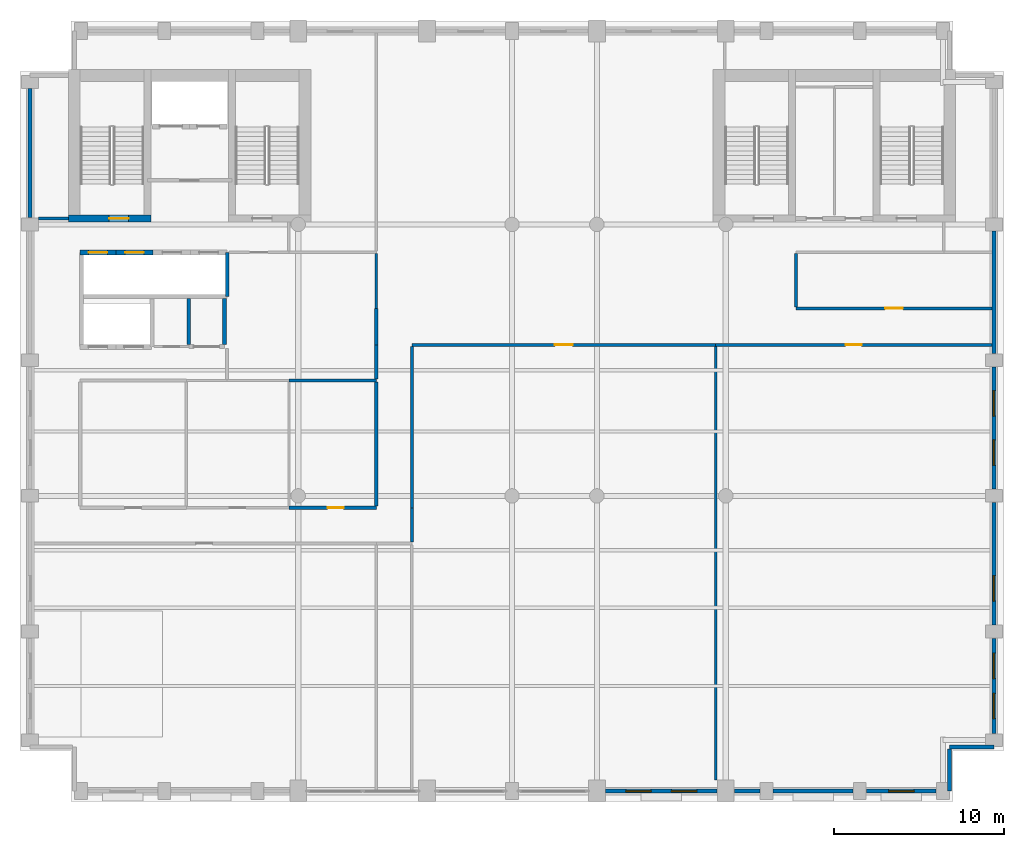
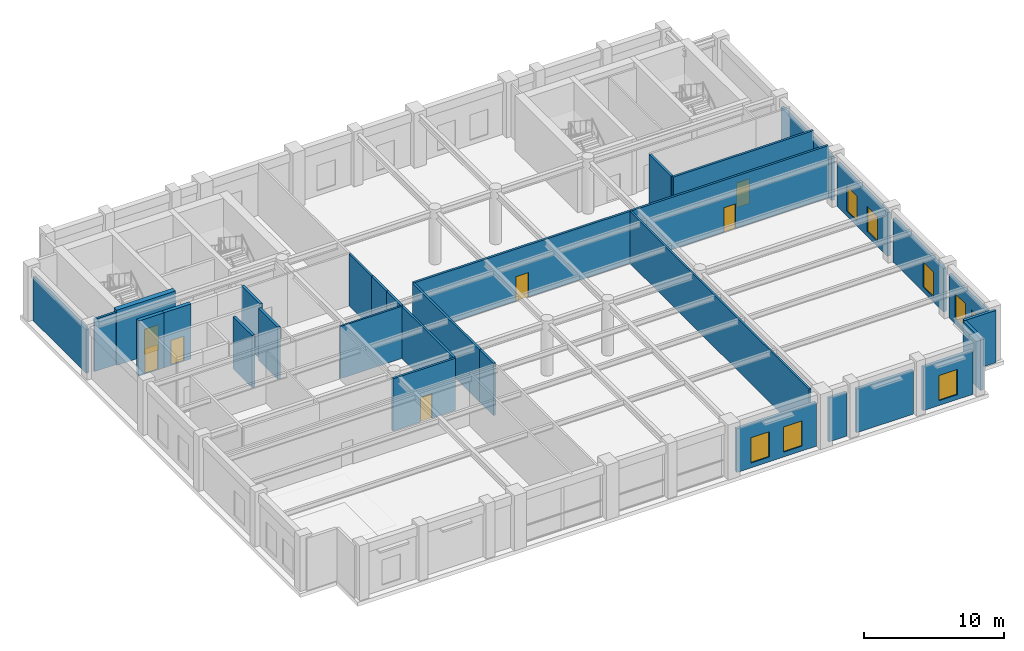
# One storey, part 5 of 10: 31 walls, 8 windows, 7 doors, 15 openings.
"""IFC4 building model written with IfcOpenShell, lengths in metres."""

from ifc_helpers import new_model, si_unit, direction, frame, frame_2d, origin, place, context, subcontext, project, spatial, rectangle, extrude, material, layer, layer_set, type_object, element, fill, save


model = new_model("IFC4")

# Units and contexts
model_context = context("Model", 3, precision=1e-05, world=origin(), true_north=direction((0.0, 1.0)))
body_context = subcontext(model_context, "Body", "Model", "MODEL_VIEW")
ifc_project = project(units=[si_unit("LENGTHUNIT", "METRE"), si_unit("AREAUNIT", "SQUARE_METRE"), si_unit("VOLUMEUNIT", "CUBIC_METRE"), si_unit("PLANEANGLEUNIT", "RADIAN"), si_unit("MASSUNIT", "GRAM", prefix="KILO")], contexts=[model_context])

# Site, building, storey
site_placement = place(None, origin())
site = spatial("IfcSite", under=ifc_project, at=site_placement, CompositionType="ELEMENT")
building_placement = place(site_placement, origin())
building = spatial("IfcBuilding", under=site, at=building_placement, Name="Sulina Concourse Tower", CompositionType="ELEMENT")
storey_placement = place(building_placement, frame((0.0, 0.0, 243.800048828125)))
storey = spatial("IfcBuildingStorey", under=building, at=storey_placement, Name="L59", CompositionType="ELEMENT", Elevation=243.800048828125)

# Wall
ifc_material_1 = material(Name="Concrete C50/60", Category="concrete")
ifc_layer_1 = layer(ifc_material_1, 0.219970703125)
ifc_layer_set_1 = layer_set([ifc_layer_1], Name="Concrete C50/60")
wall_type_1 = type_object("IfcWallType", Name="Core Lift Hoistway Divider Wall 220mm", PredefinedType="SOLIDWALL", material=ifc_layer_set_1)
wall_1_placement = place(storey_placement, frame((12.219970703125, 29.75, 0.0), z_axis=(0.0, 0.0, 1.0), x_axis=(0.0, 1.0, 0.0)))
element("IfcWall", 1, at=wall_1_placement, inside=storey, type_object=wall_type_1, Name="L59 shaft divider wall HW-LP3-E", PredefinedType="SOLIDWALL", context=body_context, shape_type="SweptSolid", body=[
    extrude(rectangle(XDim=2.60009765625, YDim=0.219970703125, at=frame_2d((1.300048828125, 0.0))), origin(), (0.0, 0.0, 1.0), 4.800048828125),
])

# Wall, opening, door
ifc_material_2 = material(Name="Concrete C50/60", Category="concrete")
ifc_layer_2 = layer(ifc_material_2, 0.300048828125)
ifc_layer_set_2 = layer_set([ifc_layer_2], Name="Concrete C50/60")
wall_type_2 = type_object("IfcWallType", Name="Core Lift Hoistway Wall 300mm", PredefinedType="SOLIDWALL", material=ifc_layer_set_2)
wall_2_placement = place(storey_placement, frame((3.550048828125, 32.35009765625, 0.0), z_axis=(0.0, 0.0, 1.0), x_axis=(1.0, 0.0, 0.0)))
wall_2 = element("IfcWall", 2, at=wall_2_placement, inside=storey, type_object=wall_type_2, Name="L59 hoistway enclosure wall LP-09", PredefinedType="SOLIDWALL", context=body_context, shape_type="SweptSolid", body=[
    extrude(rectangle(XDim=2.099853515625, YDim=0.300048828125, at=frame_2d((1.0498046875, 0.0))), origin(), (0.0, 0.0, 1.0), 4.800048828125),
])
opening_1_placement = place(wall_2_placement, frame((0.5, 0.0, 0.0)))
opening_1 = element("IfcOpeningElement", 3, at=opening_1_placement, cuts=wall_2, Name="Opening LD-01", PredefinedType="OPENING", context=body_context, shape_type="SweptSolid", body=[
    extrude(rectangle(XDim=1.10009765625, YDim=2.199951171875, at=frame_2d((0.550048828125, 1.10009765625))), frame((0.0, 0.159912109375, 0.0), z_axis=(0.0, -1.0, 0.0), x_axis=(1.0, 0.0, 0.0)), (0.0, 0.0, 1.0), 0.320068359375),
])
ifc_material_3 = material(Name="Stainless steel lift landing door", Category="steel")
ifc_layer_3 = layer(ifc_material_3, 0.050048828125)
ifc_layer_set_3 = layer_set([ifc_layer_3], Name="Stainless steel lift landing door")
door_type_1 = type_object("IfcDoorType", Name="Passenger Lift Sliding Landing Door 1100x2200", OperationType="SLIDING_TO_LEFT", PredefinedType="DOOR", material=ifc_layer_set_3)
door_1_placement = place(opening_1_placement, origin())
door_1 = element("IfcDoor", 4, at=door_1_placement, inside=storey, type_object=door_type_1, Name="L59 lift landing sliding door LP-09", OperationType="SLIDING_TO_LEFT", OverallHeight=2.199951171875, OverallWidth=1.10009765625, PredefinedType="DOOR", context=body_context, shape_type="SweptSolid", body=[
    extrude(rectangle(XDim=1.10009765625, YDim=2.199951171875, at=frame_2d((0.550048828125, 1.10009765625))), frame((0.0, 0.02490234375, 0.0), z_axis=(0.0, -1.0, 0.0), x_axis=(1.0, 0.0, 0.0)), (0.0, 0.0, 1.0), 0.050048828125),
])
fill(opening_1, door_1)

wall_3_placement = place(storey_placement, frame((5.64990234375, 32.35009765625, 0.0), z_axis=(0.0, 0.0, 1.0), x_axis=(1.0, 0.0, 0.0)))
wall_3 = element("IfcWall", 5, at=wall_3_placement, inside=storey, type_object=wall_type_2, Name="L59 hoistway enclosure wall LP-10", PredefinedType="SOLIDWALL", context=body_context, shape_type="SweptSolid", body=[
    extrude(rectangle(XDim=2.2001953125, YDim=0.300048828125, at=frame_2d((1.10009765625, 0.0))), origin(), (0.0, 0.0, 1.0), 4.800048828125),
])
opening_2_placement = place(wall_3_placement, frame((0.550048828125, 0.0, 0.0)))
opening_2 = element("IfcOpeningElement", 6, at=opening_2_placement, cuts=wall_3, Name="Opening LD-01", PredefinedType="OPENING", context=body_context, shape_type="SweptSolid", body=[
    extrude(rectangle(XDim=1.10009765625, YDim=2.199951171875, at=frame_2d((0.550048828125, 1.10009765625))), frame((0.0, 0.159912109375, 0.0), z_axis=(0.0, -1.0, 0.0), x_axis=(1.0, 0.0, 0.0)), (0.0, 0.0, 1.0), 0.320068359375),
])
door_2_placement = place(opening_2_placement, origin())
door_2 = element("IfcDoor", 7, at=door_2_placement, inside=storey, type_object=door_type_1, Name="L59 lift landing sliding door LP-10", OperationType="SLIDING_TO_RIGHT", OverallHeight=2.199951171875, OverallWidth=1.10009765625, PredefinedType="DOOR", context=body_context, shape_type="SweptSolid", body=[
    extrude(rectangle(XDim=1.10009765625, YDim=2.199951171875, at=frame_2d((0.550048828125, 1.10009765625))), frame((0.0, 0.02490234375, 0.0), z_axis=(0.0, -1.0, 0.0), x_axis=(1.0, 0.0, 0.0)), (0.0, 0.0, 1.0), 0.050048828125),
])
fill(opening_2, door_2)

# Wall, openings, windows
ifc_material_4 = material(Name="Precast concrete C50/60", Category="concrete")
ifc_layer_4 = layer(ifc_material_4, 0.239990234375)
ifc_layer_set_4 = layer_set([ifc_layer_4], Name="Precast concrete C50/60")
wall_type_3 = type_object("IfcWallType", Name="Crown Precast Masonry-Frame Facade Wall 240mm", PredefinedType="SOLIDWALL", material=ifc_layer_set_4)
wall_4_placement = place(storey_placement, frame((41.080078125, 0.60009765625, 0.0), z_axis=(0.0, 0.0, 1.0), x_axis=(-1.0, 0.0, 0.0)))
wall_4 = element("IfcWall", 8, at=wall_4_placement, inside=storey, type_object=wall_type_3, Name="L59 exterior precast wall S7", PredefinedType="SOLIDWALL", context=body_context, shape_type="SweptSolid", body=[
    extrude(rectangle(XDim=6.56005859375, YDim=0.239990234375, at=frame_2d((3.280029296875, 0.0))), origin(), (0.0, 0.0, 1.0), 3.800048828125),
])
opening_3_placement = place(wall_4_placement, frame((1.186767578125, 0.0, 0.419921875)))
opening_3 = element("IfcOpeningElement", 9, at=opening_3_placement, cuts=wall_4, Name="Opening WN-71", PredefinedType="OPENING", context=body_context, shape_type="SweptSolid", body=[
    extrude(rectangle(XDim=1.5, YDim=2.199951171875, at=frame_2d((0.75, 1.10009765625))), frame((0.0, 0.1298828125, 0.0), z_axis=(0.0, -1.0, 0.0), x_axis=(1.0, 0.0, 0.0)), (0.0, 0.0, 1.0), 0.260009765625),
])
opening_4_placement = place(wall_4_placement, frame((3.873291015625, 0.0, 0.419921875)))
opening_4 = element("IfcOpeningElement", 10, at=opening_4_placement, cuts=wall_4, Name="Opening WN-71", PredefinedType="OPENING", context=body_context, shape_type="SweptSolid", body=[
    extrude(rectangle(XDim=1.5, YDim=2.199951171875, at=frame_2d((0.75, 1.10009765625))), frame((0.0, 0.1298828125, 0.0), z_axis=(0.0, -1.0, 0.0), x_axis=(1.0, 0.0, 0.0)), (0.0, 0.0, 1.0), 0.260009765625),
])
ifc_material_5 = material(Name="Low-E solar double glazing in bronze aluminium", Category="aluminium")
window_type = type_object("IfcWindowType", Name="Punched Masonry-Frame Window 1500x2200", PartitioningType="SINGLE_PANEL", PredefinedType="WINDOW", material=ifc_material_5)
window_1_placement = place(opening_3_placement, origin())
window_1 = element("IfcWindow", 11, at=window_1_placement, inside=storey, type_object=window_type, Name="L59 punched window S7-1", OverallHeight=2.199951171875, OverallWidth=1.5, PartitioningType="SINGLE_PANEL", PredefinedType="WINDOW", context=body_context, shape_type="SweptSolid", body=[
    extrude(rectangle(XDim=1.5, YDim=2.199951171875, at=frame_2d((0.75, 1.10009765625))), frame((0.0, 0.030029296875, 0.0), z_axis=(0.0, -1.0, 0.0), x_axis=(1.0, 0.0, 0.0)), (0.0, 0.0, 1.0), 0.06005859375),
])
fill(opening_3, window_1)
window_2_placement = place(opening_4_placement, origin())
window_2 = element("IfcWindow", 12, at=window_2_placement, inside=storey, type_object=window_type, Name="L59 punched window S7-2", OverallHeight=2.199951171875, OverallWidth=1.5, PartitioningType="SINGLE_PANEL", PredefinedType="WINDOW", context=body_context, shape_type="SweptSolid", body=[
    extrude(rectangle(XDim=1.5, YDim=2.199951171875, at=frame_2d((0.75, 1.10009765625))), frame((0.0, 0.030029296875, 0.0), z_axis=(0.0, -1.0, 0.0), x_axis=(1.0, 0.0, 0.0)), (0.0, 0.0, 1.0), 0.06005859375),
])
fill(opening_4, window_2)

# Walls
wall_5_placement = place(storey_placement, frame((43.60498046875, 0.60009765625, 0.0), z_axis=(0.0, 0.0, 1.0), x_axis=(-1.0, 0.0, 0.0)))
element("IfcWall", 13, at=wall_5_placement, inside=storey, type_object=wall_type_3, Name="L59 exterior precast wall S8", PredefinedType="SOLIDWALL", context=body_context, shape_type="SweptSolid", body=[
    extrude(rectangle(XDim=1.48486328125, YDim=0.239990234375, at=frame_2d((0.742431640625, 0.0))), origin(), (0.0, 0.0, 1.0), 3.800048828125),
])
wall_6_placement = place(storey_placement, frame((49.10498046875, 0.60009765625, 0.0), z_axis=(0.0, 0.0, 1.0), x_axis=(-1.0, 0.0, 0.0)))
element("IfcWall", 14, at=wall_6_placement, inside=storey, type_object=wall_type_3, Name="L59 exterior precast wall S9", PredefinedType="SOLIDWALL", context=body_context, shape_type="SweptSolid", body=[
    extrude(rectangle(XDim=4.7099609375, YDim=0.239990234375, at=frame_2d((2.35498046875, 0.0))), origin(), (0.0, 0.0, 1.0), 3.800048828125),
])

# Wall, opening, window
wall_7_placement = place(storey_placement, frame((54.0048828125, 0.60009765625, 0.0), z_axis=(0.0, 0.0, 1.0), x_axis=(-1.0, 0.0, 0.0)))
wall_7 = element("IfcWall", 15, at=wall_7_placement, inside=storey, type_object=wall_type_3, Name="L59 exterior precast wall S10", PredefinedType="SOLIDWALL", context=body_context, shape_type="SweptSolid", body=[
    extrude(rectangle(XDim=4.10986328125, YDim=0.239990234375, at=frame_2d((2.054931640625, 0.0))), origin(), (0.0, 0.0, 1.0), 3.800048828125),
])
opening_5_placement = place(wall_7_placement, frame((1.304931640625, 0.0, 0.419921875)))
opening_5 = element("IfcOpeningElement", 16, at=opening_5_placement, cuts=wall_7, Name="Opening WN-71", PredefinedType="OPENING", context=body_context, shape_type="SweptSolid", body=[
    extrude(rectangle(XDim=1.5, YDim=2.199951171875, at=frame_2d((0.75, 1.10009765625))), frame((0.0, 0.1298828125, 0.0), z_axis=(0.0, -1.0, 0.0), x_axis=(1.0, 0.0, 0.0)), (0.0, 0.0, 1.0), 0.260009765625),
])
window_3_placement = place(opening_5_placement, origin())
window_3 = element("IfcWindow", 17, at=window_3_placement, inside=storey, type_object=window_type, Name="L59 punched window S10-1", OverallHeight=2.199951171875, OverallWidth=1.5, PartitioningType="SINGLE_PANEL", PredefinedType="WINDOW", context=body_context, shape_type="SweptSolid", body=[
    extrude(rectangle(XDim=1.5, YDim=2.199951171875, at=frame_2d((0.75, 1.10009765625))), frame((0.0, 0.030029296875, 0.0), z_axis=(0.0, -1.0, 0.0), x_axis=(1.0, 0.0, 0.0)), (0.0, 0.0, 1.0), 0.06005859375),
])
fill(opening_5, window_3)

# Wall
wall_8_placement = place(storey_placement, frame((0.60009765625, 34.39501953125, 0.0), z_axis=(0.0, 0.0, 1.0), x_axis=(0.0, 1.0, 0.0)))
element("IfcWall", 18, at=wall_8_placement, inside=storey, type_object=wall_type_3, Name="L59 exterior precast wall W5", PredefinedType="SOLIDWALL", context=body_context, shape_type="SweptSolid", body=[
    extrude(rectangle(XDim=7.60986328125, YDim=0.239990234375, at=frame_2d((3.804931640625, 0.0))), origin(), (0.0, 0.0, 1.0), 3.800048828125),
])

# Wall, openings, windows
wall_9_placement = place(storey_placement, frame((57.39990234375, 9.60498046875, 0.0), z_axis=(0.0, 0.0, 1.0), x_axis=(0.0, -1.0, 0.0)))
wall_9 = element("IfcWall", 19, at=wall_9_placement, inside=storey, type_object=wall_type_3, Name="L59 exterior precast wall E1", PredefinedType="SOLIDWALL", context=body_context, shape_type="SweptSolid", body=[
    extrude(rectangle(XDim=5.60986328125, YDim=0.239990234375, at=frame_2d((2.804931640625, 0.0))), origin(), (0.0, 0.0, 1.0), 3.800048828125),
])
opening_6_placement = place(wall_9_placement, frame((0.8701171875, 0.0, 0.419921875)))
opening_6 = element("IfcOpeningElement", 20, at=opening_6_placement, cuts=wall_9, Name="Opening WN-71", PredefinedType="OPENING", context=body_context, shape_type="SweptSolid", body=[
    extrude(rectangle(XDim=1.5, YDim=2.199951171875, at=frame_2d((0.75, 1.10009765625))), frame((0.0, 0.1298828125, 0.0), z_axis=(0.0, -1.0, 0.0), x_axis=(1.0, 0.0, 0.0)), (0.0, 0.0, 1.0), 0.260009765625),
])
opening_7_placement = place(wall_9_placement, frame((3.239990234375, 0.0, 0.419921875)))
opening_7 = element("IfcOpeningElement", 21, at=opening_7_placement, cuts=wall_9, Name="Opening WN-71", PredefinedType="OPENING", context=body_context, shape_type="SweptSolid", body=[
    extrude(rectangle(XDim=1.5, YDim=2.199951171875, at=frame_2d((0.75, 1.10009765625))), frame((0.0, 0.1298828125, 0.0), z_axis=(0.0, -1.0, 0.0), x_axis=(1.0, 0.0, 0.0)), (0.0, 0.0, 1.0), 0.260009765625),
])
window_4_placement = place(opening_6_placement, origin())
window_4 = element("IfcWindow", 22, at=window_4_placement, inside=storey, type_object=window_type, Name="L59 punched window E1-1", OverallHeight=2.199951171875, OverallWidth=1.5, PartitioningType="SINGLE_PANEL", PredefinedType="WINDOW", context=body_context, shape_type="SweptSolid", body=[
    extrude(rectangle(XDim=1.5, YDim=2.199951171875, at=frame_2d((0.75, 1.10009765625))), frame((0.0, 0.030029296875, 0.0), z_axis=(0.0, -1.0, 0.0), x_axis=(1.0, 0.0, 0.0)), (0.0, 0.0, 1.0), 0.06005859375),
])
fill(opening_6, window_4)
window_5_placement = place(opening_7_placement, origin())
window_5 = element("IfcWindow", 23, at=window_5_placement, inside=storey, type_object=window_type, Name="L59 punched window E1-2", OverallHeight=2.199951171875, OverallWidth=1.5, PartitioningType="SINGLE_PANEL", PredefinedType="WINDOW", context=body_context, shape_type="SweptSolid", body=[
    extrude(rectangle(XDim=1.5, YDim=2.199951171875, at=frame_2d((0.75, 1.10009765625))), frame((0.0, 0.030029296875, 0.0), z_axis=(0.0, -1.0, 0.0), x_axis=(1.0, 0.0, 0.0)), (0.0, 0.0, 1.0), 0.06005859375),
])
fill(opening_7, window_5)

# Wall, opening, window
wall_10_placement = place(storey_placement, frame((57.39990234375, 17.60498046875, 0.0), z_axis=(0.0, 0.0, 1.0), x_axis=(0.0, -1.0, 0.0)))
wall_10 = element("IfcWall", 24, at=wall_10_placement, inside=storey, type_object=wall_type_3, Name="L59 exterior precast wall E2", PredefinedType="SOLIDWALL", context=body_context, shape_type="SweptSolid", body=[
    extrude(rectangle(XDim=7.2099609375, YDim=0.239990234375, at=frame_2d((3.60498046875, 0.0))), origin(), (0.0, 0.0, 1.0), 3.800048828125),
])
opening_8_placement = place(wall_10_placement, frame((4.306640625, 0.0, 0.419921875)))
opening_8 = element("IfcOpeningElement", 25, at=opening_8_placement, cuts=wall_10, Name="Opening WN-71", PredefinedType="OPENING", context=body_context, shape_type="SweptSolid", body=[
    extrude(rectangle(XDim=1.5, YDim=2.199951171875, at=frame_2d((0.75, 1.10009765625))), frame((0.0, 0.1298828125, 0.0), z_axis=(0.0, -1.0, 0.0), x_axis=(1.0, 0.0, 0.0)), (0.0, 0.0, 1.0), 0.260009765625),
])
window_6_placement = place(opening_8_placement, origin())
window_6 = element("IfcWindow", 26, at=window_6_placement, inside=storey, type_object=window_type, Name="L59 punched window E2-1", OverallHeight=2.199951171875, OverallWidth=1.5, PartitioningType="SINGLE_PANEL", PredefinedType="WINDOW", context=body_context, shape_type="SweptSolid", body=[
    extrude(rectangle(XDim=1.5, YDim=2.199951171875, at=frame_2d((0.75, 1.10009765625))), frame((0.0, 0.030029296875, 0.0), z_axis=(0.0, -1.0, 0.0), x_axis=(1.0, 0.0, 0.0)), (0.0, 0.0, 1.0), 0.06005859375),
])
fill(opening_8, window_6)

# Wall, openings, windows
wall_11_placement = place(storey_placement, frame((57.39990234375, 25.60498046875, 0.0), z_axis=(0.0, 0.0, 1.0), x_axis=(0.0, -1.0, 0.0)))
wall_11 = element("IfcWall", 27, at=wall_11_placement, inside=storey, type_object=wall_type_3, Name="L59 exterior precast wall E3", PredefinedType="SOLIDWALL", context=body_context, shape_type="SweptSolid", body=[
    extrude(rectangle(XDim=7.2099609375, YDim=0.239990234375, at=frame_2d((3.60498046875, 0.0))), origin(), (0.0, 0.0, 1.0), 3.800048828125),
])
opening_9_placement = place(wall_11_placement, frame((1.4033203125, 0.0, 0.419921875)))
opening_9 = element("IfcOpeningElement", 28, at=opening_9_placement, cuts=wall_11, Name="Opening WN-71", PredefinedType="OPENING", context=body_context, shape_type="SweptSolid", body=[
    extrude(rectangle(XDim=1.5, YDim=2.199951171875, at=frame_2d((0.75, 1.10009765625))), frame((0.0, 0.1298828125, 0.0), z_axis=(0.0, -1.0, 0.0), x_axis=(1.0, 0.0, 0.0)), (0.0, 0.0, 1.0), 0.260009765625),
])
opening_10_placement = place(wall_11_placement, frame((4.306640625, 0.0, 0.419921875)))
opening_10 = element("IfcOpeningElement", 29, at=opening_10_placement, cuts=wall_11, Name="Opening WN-71", PredefinedType="OPENING", context=body_context, shape_type="SweptSolid", body=[
    extrude(rectangle(XDim=1.5, YDim=2.199951171875, at=frame_2d((0.75, 1.10009765625))), frame((0.0, 0.1298828125, 0.0), z_axis=(0.0, -1.0, 0.0), x_axis=(1.0, 0.0, 0.0)), (0.0, 0.0, 1.0), 0.260009765625),
])
window_7_placement = place(opening_9_placement, origin())
window_7 = element("IfcWindow", 30, at=window_7_placement, inside=storey, type_object=window_type, Name="L59 punched window E3-1", OverallHeight=2.199951171875, OverallWidth=1.5, PartitioningType="SINGLE_PANEL", PredefinedType="WINDOW", context=body_context, shape_type="SweptSolid", body=[
    extrude(rectangle(XDim=1.5, YDim=2.199951171875, at=frame_2d((0.75, 1.10009765625))), frame((0.0, 0.030029296875, 0.0), z_axis=(0.0, -1.0, 0.0), x_axis=(1.0, 0.0, 0.0)), (0.0, 0.0, 1.0), 0.06005859375),
])
fill(opening_9, window_7)
window_8_placement = place(opening_10_placement, origin())
window_8 = element("IfcWindow", 31, at=window_8_placement, inside=storey, type_object=window_type, Name="L59 punched window E3-2", OverallHeight=2.199951171875, OverallWidth=1.5, PartitioningType="SINGLE_PANEL", PredefinedType="WINDOW", context=body_context, shape_type="SweptSolid", body=[
    extrude(rectangle(XDim=1.5, YDim=2.199951171875, at=frame_2d((0.75, 1.10009765625))), frame((0.0, 0.030029296875, 0.0), z_axis=(0.0, -1.0, 0.0), x_axis=(1.0, 0.0, 0.0)), (0.0, 0.0, 1.0), 0.06005859375),
])
fill(opening_10, window_8)

# Walls
wall_12_placement = place(storey_placement, frame((57.39990234375, 33.60498046875, 0.0), z_axis=(0.0, 0.0, 1.0), x_axis=(0.0, -1.0, 0.0)))
element("IfcWall", 32, at=wall_12_placement, inside=storey, type_object=wall_type_3, Name="L59 exterior precast wall E4", PredefinedType="SOLIDWALL", context=body_context, shape_type="SweptSolid", body=[
    extrude(rectangle(XDim=7.2099609375, YDim=0.239990234375, at=frame_2d((3.60498046875, 0.0))), origin(), (0.0, 0.0, 1.0), 3.800048828125),
])
wall_13_placement = place(storey_placement, frame((57.39990234375, 3.205078125, 0.0), z_axis=(0.0, 0.0, 1.0), x_axis=(-1.0, 0.0, 0.0)))
element("IfcWall", 33, at=wall_13_placement, inside=storey, type_object=wall_type_3, Name="L59 exterior precast wall CSE1", PredefinedType="SOLIDWALL", context=body_context, shape_type="SweptSolid", body=[
    extrude(rectangle(XDim=2.60498046875, YDim=0.239990234375, at=frame_2d((1.302490234375, 0.0))), origin(), (0.0, 0.0, 1.0), 4.550048828125),
])
wall_14_placement = place(storey_placement, frame((54.794921875, 3.080078125, 0.0), z_axis=(0.0, 0.0, 1.0), x_axis=(0.0, -1.0, 0.0)))
element("IfcWall", 34, at=wall_14_placement, inside=storey, type_object=wall_type_3, Name="L59 exterior precast wall CSE2", PredefinedType="SOLIDWALL", context=body_context, shape_type="SweptSolid", body=[
    extrude(rectangle(XDim=2.47998046875, YDim=0.239990234375, at=frame_2d((1.239990234375, 0.0))), origin(), (0.0, 0.0, 1.0), 4.550048828125),
])
ifc_material_6 = material(Name="Gypsum board on steel stud", Category="steel")
ifc_layer_5 = layer(ifc_material_6, 0.219970703125)
ifc_layer_set_5 = layer_set([ifc_layer_5], Name="Gypsum board on steel stud")
wall_type_4 = type_object("IfcWallType", Name="Fire-Rated Lobby & Compartment Wall 220mm", PredefinedType="PARTITIONING", material=ifc_layer_set_5)
for number, where, z_axis, x_axis, name in (
    (35, (9.949951171875, 26.909912109375, 0.0), (0.0, 0.0, 1.0), (0.0, 1.0, 0.0), "L59 interior partition 024"),
    (36, (12.050048828125, 26.909912109375, 0.0), (0.0, 0.0, 1.0), (0.0, 1.0, 0.0), "L59 interior partition 025"),
):
    element("IfcWall", number, at=place(storey_placement, frame(where, z_axis=z_axis, x_axis=x_axis)), inside=storey, type_object=wall_type_4, Name=name, PredefinedType="PARTITIONING", context=body_context, shape_type="SweptSolid", body=[
        extrude(rectangle(XDim=2.72998046875, YDim=0.219970703125, at=frame_2d((1.364990234375, 0.0))), origin(), (0.0, 0.0, 1.0), 4.550048828125),
    ])
ifc_material_7 = material(Name="Gypsum board on steel stud", Category="steel")
ifc_layer_6 = layer(ifc_material_7, 0.14990234375)
ifc_layer_set_6 = layer_set([ifc_layer_6], Name="Gypsum board on steel stud")
wall_type_5 = type_object("IfcWallType", Name="Inter-Tenancy Acoustic Partition 150mm", PredefinedType="PARTITIONING", material=ifc_layer_set_6)
wall_15_placement = place(storey_placement, frame((15.85009765625, 24.800048828125, 0.0), z_axis=(0.0, 0.0, 1.0), x_axis=(1.0, 0.0, 0.0)))
element("IfcWall", 37, at=wall_15_placement, inside=storey, type_object=wall_type_5, Name="L59 interior partition 009", PredefinedType="PARTITIONING", context=body_context, shape_type="SweptSolid", body=[
    extrude(rectangle(XDim=5.14990234375, YDim=0.14990234375, at=frame_2d((2.574951171875, 0.0))), origin(), (0.0, 0.0, 1.0), 4.550048828125),
])
wall_16_placement = place(storey_placement, frame((21.0, 29.050048828125, 0.0), z_axis=(0.0, 0.0, 1.0), x_axis=(0.0, 1.0, 0.0)))
element("IfcWall", 38, at=wall_16_placement, inside=storey, type_object=wall_type_5, Name="L59 interior partition 033", PredefinedType="PARTITIONING", context=body_context, shape_type="SweptSolid", body=[
    extrude(rectangle(XDim=3.224853515625, YDim=0.14990234375, at=frame_2d((1.6123046875, 0.0))), origin(), (0.0, 0.0, 1.0), 4.550048828125),
])
wall_17_placement = place(storey_placement, frame((41.0, 1.25, 0.0), z_axis=(0.0, 0.0, 1.0), x_axis=(0.0, 1.0, 0.0)))
element("IfcWall", 39, at=wall_17_placement, inside=storey, type_object=wall_type_5, Name="L59 interior partition 038", PredefinedType="PARTITIONING", context=body_context, shape_type="SweptSolid", body=[
    extrude(rectangle(XDim=25.56005859375, YDim=0.14990234375, at=frame_2d((12.780029296875, 0.0))), origin(), (0.0, 0.0, 1.0), 4.550048828125),
])

# Wall, opening, door
ifc_material_8 = material(Name="Gypsum board on steel stud", Category="steel")
ifc_layer_7 = layer(ifc_material_8, 0.179931640625)
ifc_layer_set_7 = layer_set([ifc_layer_7], Name="Gypsum board on steel stud")
wall_type_6 = type_object("IfcWallType", Name="Protected Corridor & Riser Partition 180mm", PredefinedType="PARTITIONING", material=ifc_layer_set_7)
wall_18_placement = place(storey_placement, frame((15.85009765625, 17.300048828125, 0.0), z_axis=(0.0, 0.0, 1.0), x_axis=(1.0, 0.0, 0.0)))
wall_18 = element("IfcWall", 40, at=wall_18_placement, inside=storey, type_object=wall_type_6, Name="L59 interior partition 005", PredefinedType="PARTITIONING", context=body_context, shape_type="SweptSolid", body=[
    extrude(rectangle(XDim=5.14990234375, YDim=0.179931640625, at=frame_2d((2.574951171875, 0.0))), origin(), (0.0, 0.0, 1.0), 4.550048828125),
])
opening_11_placement = place(wall_18_placement, frame((2.280029296875, 0.0, 0.0)))
opening_11 = element("IfcOpeningElement", 41, at=opening_11_placement, cuts=wall_18, Name="Opening DR-19", PredefinedType="OPENING", context=body_context, shape_type="SweptSolid", body=[
    extrude(rectangle(XDim=0.949951171875, YDim=2.14990234375, at=frame_2d((0.47509765625, 1.074951171875))), frame((0.0, 0.099853515625, 0.0), z_axis=(0.0, -1.0, 0.0), x_axis=(1.0, 0.0, 0.0)), (0.0, 0.0, 1.0), 0.199951171875),
])
ifc_material_9 = material(Name="Oak-veneered acoustic timber leaf", Category="wood")
ifc_layer_8 = layer(ifc_material_9, 0.050048828125)
ifc_layer_set_8 = layer_set([ifc_layer_8], Name="Oak-veneered acoustic timber leaf")
door_type_2 = type_object("IfcDoorType", Name="Cellular Office & Meeting Door 950x2150", OperationType="NOTDEFINED", PredefinedType="DOOR", material=ifc_layer_set_8)
door_3_placement = place(opening_11_placement, origin())
door_3 = element("IfcDoor", 42, at=door_3_placement, inside=storey, type_object=door_type_2, Name="L59 interior door L59-STD-SLW", OperationType="SINGLE_SWING_LEFT", OverallHeight=2.14990234375, OverallWidth=0.949951171875, PredefinedType="DOOR", context=body_context, shape_type="SweptSolid", body=[
    extrude(rectangle(XDim=0.949951171875, YDim=2.14990234375, at=frame_2d((0.47509765625, 1.074951171875))), frame((0.0, 0.02490234375, 0.0), z_axis=(0.0, -1.0, 0.0), x_axis=(1.0, 0.0, 0.0)), (0.0, 0.0, 1.0), 0.050048828125),
])
fill(opening_11, door_3)

wall_19_placement = place(storey_placement, frame((23.10009765625, 26.89990234375, 0.0), z_axis=(0.0, 0.0, 1.0), x_axis=(1.0, 0.0, 0.0)))
wall_19 = element("IfcWall", 43, at=wall_19_placement, inside=storey, type_object=wall_type_6, Name="L59 interior partition 012", PredefinedType="PARTITIONING", context=body_context, shape_type="SweptSolid", body=[
    extrude(rectangle(XDim=17.89990234375, YDim=0.179931640625, at=frame_2d((8.949951171875, 0.0))), origin(), (0.0, 0.0, 1.0), 4.550048828125),
])
opening_12_placement = place(wall_19_placement, frame((8.425048828125, 0.0, 0.0)))
opening_12 = element("IfcOpeningElement", 44, at=opening_12_placement, cuts=wall_19, Name="Opening DR-37", PredefinedType="OPENING", context=body_context, shape_type="SweptSolid", body=[
    extrude(rectangle(XDim=1.050048828125, YDim=2.14990234375, at=frame_2d((0.52490234375, 1.074951171875))), frame((0.0, 0.099853515625, 0.0), z_axis=(0.0, -1.0, 0.0), x_axis=(1.0, 0.0, 0.0)), (0.0, 0.0, 1.0), 0.199951171875),
])
ifc_material_10 = material(Name="Oak-veneered fire door leaf")
ifc_layer_9 = layer(ifc_material_10, 0.050048828125)
ifc_layer_set_9 = layer_set([ifc_layer_9], Name="Oak-veneered fire door leaf")
door_type_3 = type_object("IfcDoorType", Name="Tenant Suite Entrance Fire Door 1050x2150", OperationType="NOTDEFINED", PredefinedType="DOOR", material=ifc_layer_set_9)
door_4_placement = place(opening_12_placement, origin())
door_4 = element("IfcDoor", 45, at=door_4_placement, inside=storey, type_object=door_type_3, Name="L59 interior door L59-DIN-SL2", OperationType="SINGLE_SWING_LEFT", OverallHeight=2.14990234375, OverallWidth=1.050048828125, PredefinedType="DOOR", context=body_context, shape_type="SweptSolid", body=[
    extrude(rectangle(XDim=1.050048828125, YDim=2.14990234375, at=frame_2d((0.52490234375, 1.074951171875))), frame((0.0, 0.02490234375, 0.0), z_axis=(0.0, -1.0, 0.0), x_axis=(1.0, 0.0, 0.0)), (0.0, 0.0, 1.0), 0.050048828125),
])
fill(opening_12, door_4)

wall_20_placement = place(storey_placement, frame((41.0, 26.89990234375, 0.0), z_axis=(0.0, 0.0, 1.0), x_axis=(1.0, 0.0, 0.0)))
wall_20 = element("IfcWall", 46, at=wall_20_placement, inside=storey, type_object=wall_type_6, Name="L59 interior partition 013", PredefinedType="PARTITIONING", context=body_context, shape_type="SweptSolid", body=[
    extrude(rectangle(XDim=16.280029296875, YDim=0.179931640625, at=frame_2d((8.14013671875, 0.0))), origin(), (0.0, 0.0, 1.0), 4.550048828125),
])
opening_13_placement = place(wall_20_placement, frame((7.6650390625, 0.0, 0.0)))
opening_13 = element("IfcOpeningElement", 47, at=opening_13_placement, cuts=wall_20, Name="Opening DR-19", PredefinedType="OPENING", context=body_context, shape_type="SweptSolid", body=[
    extrude(rectangle(XDim=0.949951171875, YDim=2.14990234375, at=frame_2d((0.47509765625, 1.074951171875))), frame((0.0, 0.099853515625, 0.0), z_axis=(0.0, -1.0, 0.0), x_axis=(1.0, 0.0, 0.0)), (0.0, 0.0, 1.0), 0.199951171875),
])
door_5_placement = place(opening_13_placement, origin())
door_5 = element("IfcDoor", 48, at=door_5_placement, inside=storey, type_object=door_type_2, Name="L59 interior door L59-KIT-SL", OperationType="SINGLE_SWING_RIGHT", OverallHeight=2.14990234375, OverallWidth=0.949951171875, PredefinedType="DOOR", context=body_context, shape_type="SweptSolid", body=[
    extrude(rectangle(XDim=0.949951171875, YDim=2.14990234375, at=frame_2d((0.47509765625, 1.074951171875))), frame((0.0, 0.02490234375, 0.0), z_axis=(0.0, -1.0, 0.0), x_axis=(1.0, 0.0, 0.0)), (0.0, 0.0, 1.0), 0.050048828125),
])
fill(opening_13, door_5)

wall_21_placement = place(storey_placement, frame((45.75, 29.050048828125, 0.0), z_axis=(0.0, 0.0, 1.0), x_axis=(1.0, 0.0, 0.0)))
wall_21 = element("IfcWall", 49, at=wall_21_placement, inside=storey, type_object=wall_type_6, Name="L59 interior partition 014", PredefinedType="PARTITIONING", context=body_context, shape_type="SweptSolid", body=[
    extrude(rectangle(XDim=11.530029296875, YDim=0.179931640625, at=frame_2d((5.76513671875, 0.0))), origin(), (0.0, 0.0, 1.0), 4.550048828125),
])
opening_14_placement = place(wall_21_placement, frame((5.239990234375, 0.0, 0.0)))
opening_14 = element("IfcOpeningElement", 50, at=opening_14_placement, cuts=wall_21, Name="Opening DR-37", PredefinedType="OPENING", context=body_context, shape_type="SweptSolid", body=[
    extrude(rectangle(XDim=1.050048828125, YDim=2.14990234375, at=frame_2d((0.52490234375, 1.074951171875))), frame((0.0, 0.099853515625, 0.0), z_axis=(0.0, -1.0, 0.0), x_axis=(1.0, 0.0, 0.0)), (0.0, 0.0, 1.0), 0.199951171875),
])
door_6_placement = place(opening_14_placement, origin())
door_6 = element("IfcDoor", 51, at=door_6_placement, inside=storey, type_object=door_type_3, Name="L59 interior door L59-OFF-SL1", OperationType="SINGLE_SWING_LEFT", OverallHeight=2.14990234375, OverallWidth=1.050048828125, PredefinedType="DOOR", context=body_context, shape_type="SweptSolid", body=[
    extrude(rectangle(XDim=1.050048828125, YDim=2.14990234375, at=frame_2d((0.52490234375, 1.074951171875))), frame((0.0, 0.02490234375, 0.0), z_axis=(0.0, -1.0, 0.0), x_axis=(1.0, 0.0, 0.0)), (0.0, 0.0, 1.0), 0.050048828125),
])
fill(opening_14, door_6)

# Walls
wall_22_placement = place(storey_placement, frame((1.10009765625, 34.35009765625, 0.0), z_axis=(0.0, 0.0, 1.0), x_axis=(1.0, 0.0, 0.0)))
element("IfcWall", 52, at=wall_22_placement, inside=storey, type_object=wall_type_6, Name="L59 interior partition 019", PredefinedType="PARTITIONING", context=body_context, shape_type="SweptSolid", body=[
    extrude(rectangle(XDim=1.75, YDim=0.179931640625, at=frame_2d((0.875, 0.0))), origin(), (0.0, 0.0, 1.0), 4.550048828125),
])
wall_23_placement = place(storey_placement, frame((21.0, 17.389892578125, 0.0), z_axis=(0.0, 0.0, 1.0), x_axis=(0.0, 1.0, 0.0)))
element("IfcWall", 53, at=wall_23_placement, inside=storey, type_object=wall_type_6, Name="L59 interior partition 030", PredefinedType="PARTITIONING", context=body_context, shape_type="SweptSolid", body=[
    extrude(rectangle(XDim=7.335205078125, YDim=0.179931640625, at=frame_2d((3.66748046875, 0.0))), origin(), (0.0, 0.0, 1.0), 4.550048828125),
])
wall_24_placement = place(storey_placement, frame((21.0, 24.875, 0.0), z_axis=(0.0, 0.0, 1.0), x_axis=(0.0, 1.0, 0.0)))
element("IfcWall", 54, at=wall_24_placement, inside=storey, type_object=wall_type_6, Name="L59 interior partition 031", PredefinedType="PARTITIONING", context=body_context, shape_type="SweptSolid", body=[
    extrude(rectangle(XDim=2.02490234375, YDim=0.179931640625, at=frame_2d((1.012451171875, 0.0))), origin(), (0.0, 0.0, 1.0), 4.550048828125),
])
wall_25_placement = place(storey_placement, frame((21.0, 26.89990234375, 0.0), z_axis=(0.0, 0.0, 1.0), x_axis=(0.0, 1.0, 0.0)))
element("IfcWall", 55, at=wall_25_placement, inside=storey, type_object=wall_type_6, Name="L59 interior partition 032", PredefinedType="PARTITIONING", context=body_context, shape_type="SweptSolid", body=[
    extrude(rectangle(XDim=2.150146484375, YDim=0.179931640625, at=frame_2d((1.0751953125, 0.0))), origin(), (0.0, 0.0, 1.0), 4.550048828125),
])
wall_26_placement = place(storey_placement, frame((23.10009765625, 15.2900390625, 0.0), z_axis=(0.0, 0.0, 1.0), x_axis=(0.0, 1.0, 0.0)))
element("IfcWall", 56, at=wall_26_placement, inside=storey, type_object=wall_type_6, Name="L59 interior partition 036", PredefinedType="PARTITIONING", context=body_context, shape_type="SweptSolid", body=[
    extrude(rectangle(XDim=2.010009765625, YDim=0.179931640625, at=frame_2d((1.0048828125, 0.0))), origin(), (0.0, 0.0, 1.0), 4.550048828125),
])
wall_27_placement = place(storey_placement, frame((23.10009765625, 17.300048828125, 0.0), z_axis=(0.0, 0.0, 1.0), x_axis=(0.0, 1.0, 0.0)))
element("IfcWall", 57, at=wall_27_placement, inside=storey, type_object=wall_type_6, Name="L59 interior partition 037", PredefinedType="PARTITIONING", context=body_context, shape_type="SweptSolid", body=[
    extrude(rectangle(XDim=9.510009765625, YDim=0.179931640625, at=frame_2d((4.7548828125, 0.0))), origin(), (0.0, 0.0, 1.0), 4.550048828125),
])
wall_28_placement = place(storey_placement, frame((45.75, 29.139892578125, 0.0), z_axis=(0.0, 0.0, 1.0), x_axis=(0.0, 1.0, 0.0)))
element("IfcWall", 58, at=wall_28_placement, inside=storey, type_object=wall_type_6, Name="L59 interior partition 040", PredefinedType="PARTITIONING", context=body_context, shape_type="SweptSolid", body=[
    extrude(rectangle(XDim=3.135009765625, YDim=0.179931640625, at=frame_2d((1.5673828125, 0.0))), origin(), (0.0, 0.0, 1.0), 4.550048828125),
])

# Wall, opening, door
ifc_material_11 = material(Name="Concrete C60/75", Category="concrete")
ifc_layer_10 = layer(ifc_material_11, 0.39990234375)
ifc_layer_set_10 = layer_set([ifc_layer_10], Name="Concrete C60/75")
wall_type_7 = type_object("IfcWallType", Name="Protected Stair Core Shear Wall 400mm", PredefinedType="SHEAR", material=ifc_layer_set_10)
wall_29_placement = place(storey_placement, frame((2.85009765625, 34.35009765625, 0.0), z_axis=(0.0, 0.0, 1.0), x_axis=(1.0, 0.0, 0.0)))
wall_29 = element("IfcWall", 59, at=wall_29_placement, inside=storey, type_object=wall_type_7, Name="L59 west core shear wall CW-WS1", PredefinedType="SHEAR", context=body_context, shape_type="SweptSolid", body=[
    extrude(rectangle(XDim=4.85986328125, YDim=0.39990234375, at=frame_2d((2.429931640625, 0.0))), origin(), (0.0, 0.0, 1.0), 4.800048828125),
])
opening_15_placement = place(wall_29_placement, frame((2.39990234375, 0.0, 0.0)))
opening_15 = element("IfcOpeningElement", 60, at=opening_15_placement, cuts=wall_29, Name="Opening DR-60", PredefinedType="OPENING", context=body_context, shape_type="SweptSolid", body=[
    extrude(rectangle(XDim=1.14990234375, YDim=2.199951171875, at=frame_2d((0.574951171875, 1.10009765625))), frame((0.0, 0.2099609375, 0.0), z_axis=(0.0, -1.0, 0.0), x_axis=(1.0, 0.0, 0.0)), (0.0, 0.0, 1.0), 0.419921875),
])
ifc_material_12 = material(Name="Galvanised steel acoustic fire leaf", Category="steel")
ifc_layer_11 = layer(ifc_material_12, 0.054931640625)
ifc_layer_set_11 = layer_set([ifc_layer_11], Name="Galvanised steel acoustic fire leaf")
door_type_4 = type_object("IfcDoorType", Name="Protected Exit Stair Fire Door 1150x2200", OperationType="NOTDEFINED", PredefinedType="DOOR", material=ifc_layer_set_11)
door_7_placement = place(opening_15_placement, origin())
door_7 = element("IfcDoor", 61, at=door_7_placement, inside=storey, type_object=door_type_4, Name="L59 stair ST-1 lobby fire door", OperationType="SINGLE_SWING_RIGHT", OverallHeight=2.199951171875, OverallWidth=1.14990234375, PredefinedType="DOOR", context=body_context, shape_type="SweptSolid", body=[
    extrude(rectangle(XDim=1.14990234375, YDim=2.199951171875, at=frame_2d((0.574951171875, 1.10009765625))), frame((0.0, 0.02490234375, 0.0), z_axis=(0.0, -1.0, 0.0), x_axis=(1.0, 0.0, 0.0)), (0.0, 0.0, 1.0), 0.050048828125),
])
fill(opening_15, door_7)

save(model, "model.ifc")
